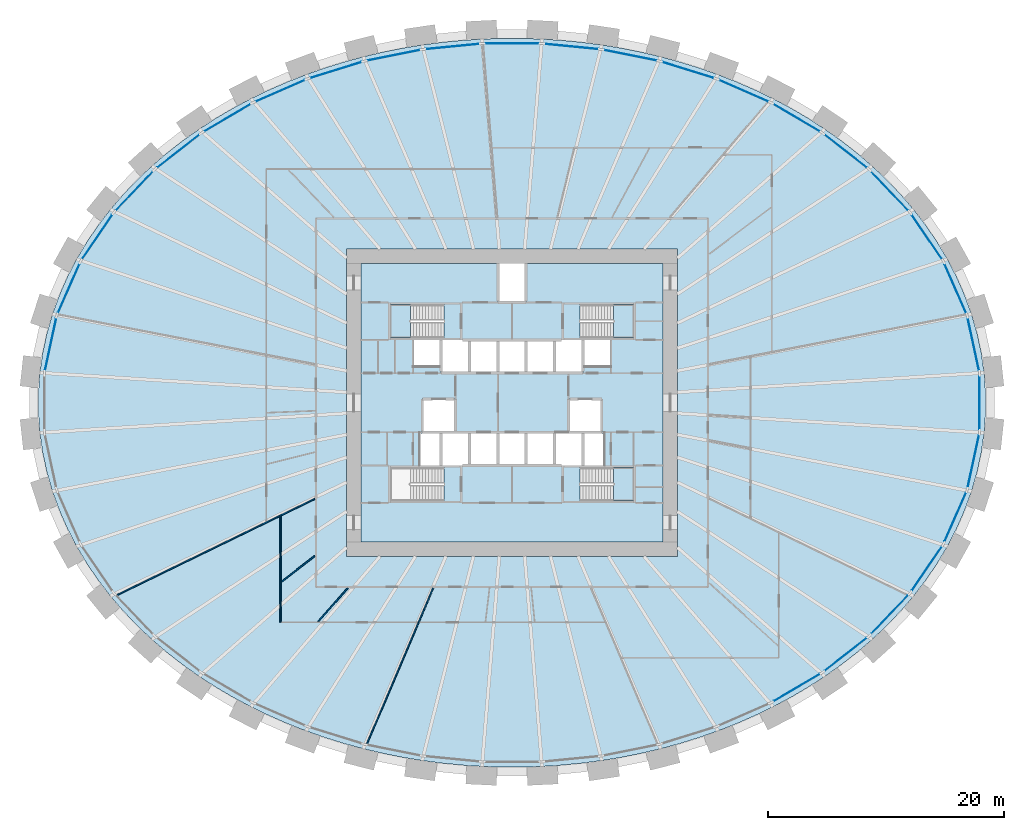
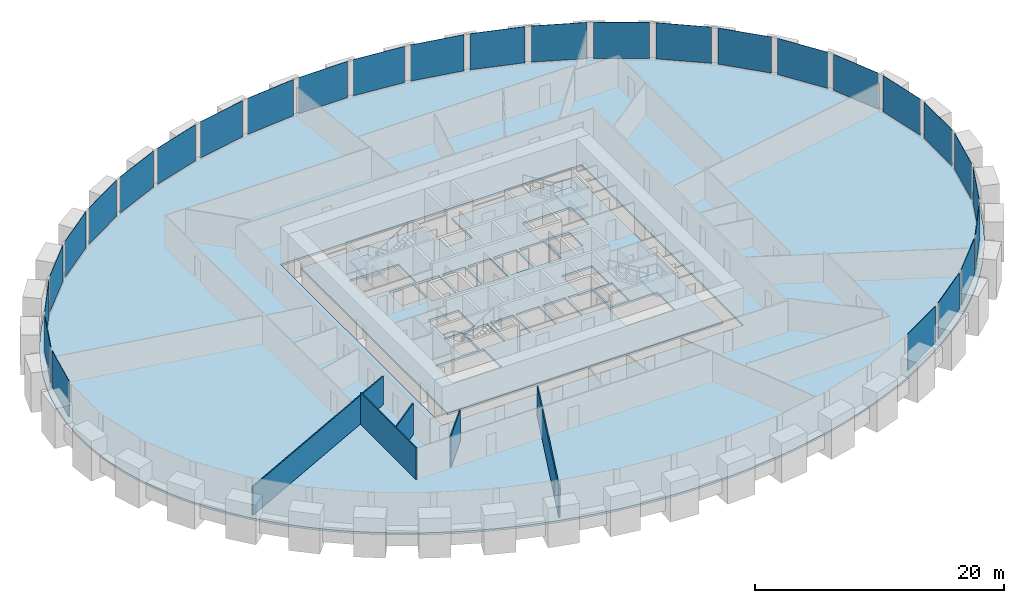
# One storey, part 5 of 11: 28 plates, 5 slabs, 5 walls, 4 elements without a shape of their own.
"""IFC4 building model written with IfcOpenShell, lengths in metres."""

from ifc_helpers import new_model, si_unit, direction, frame, frame_2d, origin, origin_2d, place, context, subcontext, project, spatial, polyline, rectangle, outline, extrude, source, transform, mapped, material, layer, layer_set, type_object, element, aggregate, save


model = new_model("IFC4")

# Units and contexts
model_context = context("Model", 3, precision=1e-05, world=origin(), true_north=direction((0.0, 1.0)))
body_context = subcontext(model_context, "Body", "Model", "MODEL_VIEW")
ifc_project = project(units=[si_unit("LENGTHUNIT", "METRE"), si_unit("AREAUNIT", "SQUARE_METRE"), si_unit("VOLUMEUNIT", "CUBIC_METRE"), si_unit("PLANEANGLEUNIT", "RADIAN"), si_unit("MASSUNIT", "GRAM", prefix="KILO")], contexts=[model_context])

# Site, building, storey
site_placement = place(None, origin())
site = spatial("IfcSite", under=ifc_project, at=site_placement, CompositionType="ELEMENT")
building_placement = place(site_placement, origin())
building = spatial("IfcBuilding", under=site, at=building_placement, Name="Embergate Tower", CompositionType="ELEMENT")
storey_placement = place(building_placement, frame((0.0, 0.0, 77.60009765625)))
storey = spatial("IfcBuildingStorey", under=building, at=storey_placement, Name="L15", CompositionType="ELEMENT", Elevation=77.60009765625)

# Slab
ifc_material_1 = material(Name="Concrete C40", Category="concrete")
ifc_layer_1 = layer(ifc_material_1, 0.199951171875)
ifc_layer_set_1 = layer_set([ifc_layer_1], Name="Concrete C40")
slab_type_1 = type_object("IfcSlabType", Name="Composite floor slab C40 200", PredefinedType="FLOOR", material=ifc_layer_set_1)
shared_shape_1 = source(origin(), body_context, "Body", "SweptSolid", [
    extrude(outline(polyline([(0.0, 0.0), (1.69580078125, 0.0), (3.391845703125, 0.054931640625), (5.087890625, 0.166015625), (6.77685546875, 0.33203125), (8.454833984375, 0.552978515625), (10.135986328125, 0.8310546875), (11.798828125, 1.1650390625), (13.44287109375, 1.552978515625), (15.08984375, 2.0029296875), (16.7099609375, 2.508056640625), (18.2998046875, 3.06591796875), (19.891845703125, 3.69189453125), (21.447021484375, 4.37109375), (22.9599609375, 5.10400390625), (24.472900390625, 5.910888671875), (25.934814453125, 6.77099609375), (27.344970703125, 7.681884765625), (28.744873046875, 8.675048828125), (30.0830078125, 9.718994140625), (31.35400390625, 10.81103515625), (32.601806640625, 11.991943359375), (33.77197265625, 13.219970703125), (34.86279296875, 14.489990234375), (35.908935546875, 15.85302734375), (36.86181640625, 17.256103515625), (37.720947265625, 18.694091796875), (38.5078125, 20.216064453125), (39.18896484375, 21.76904296875), (39.761962890625, 23.346923828125), (40.23486328125, 24.987060546875), (40.591796875, 26.64404296875), (40.830810546875, 28.31396484375), (40.951904296875, 30.007080078125), (40.951904296875, 31.700927734375), (40.830810546875, 33.39404296875), (40.591796875, 35.06396484375), (40.23486328125, 36.720947265625), (39.761962890625, 38.361083984375), (39.18896484375, 39.93896484375), (38.5078125, 41.491943359375), (37.720947265625, 43.013916015625), (36.86181640625, 44.451904296875), (35.908935546875, 45.85498046875), (34.86279296875, 47.218017578125), (33.77197265625, 48.488037109375), (32.601806640625, 49.716064453125), (31.35400390625, 50.89697265625), (30.0830078125, 51.989013671875), (28.744873046875, 53.032958984375), (27.344970703125, 54.026123046875), (25.934814453125, 54.93701171875), (24.472900390625, 55.797119140625), (22.9599609375, 56.60400390625), (21.447021484375, 57.3369140625), (19.891845703125, 58.01611328125), (18.2998046875, 58.64208984375), (16.7099609375, 59.199951171875), (15.08984375, 59.705078125), (13.44287109375, 60.155029296875), (11.798828125, 60.54296875), (10.135986328125, 60.876953125), (8.454833984375, 61.155029296875), (6.77685546875, 61.3759765625), (5.087890625, 61.5419921875), (3.391845703125, 61.653076171875), (1.69580078125, 61.7080078125), (0.0, 61.7080078125), (-1.696044921875, 61.653076171875), (-3.39208984375, 61.5419921875), (-5.0810546875, 61.3759765625), (-6.759033203125, 61.155029296875), (-8.440185546875, 60.876953125), (-10.10302734375, 60.54296875), (-11.7470703125, 60.155029296875), (-13.39404296875, 59.705078125), (-15.01416015625, 59.199951171875), (-16.60400390625, 58.64208984375), (-18.196044921875, 58.01611328125), (-19.751220703125, 57.3369140625), (-21.26416015625, 56.60400390625), (-22.777099609375, 55.797119140625), (-24.239013671875, 54.93701171875), (-25.649169921875, 54.026123046875), (-27.049072265625, 53.032958984375), (-28.38720703125, 51.989013671875), (-29.658203125, 50.89697265625), (-30.906005859375, 49.716064453125), (-32.076171875, 48.488037109375), (-33.1669921875, 47.218017578125), (-34.213134765625, 45.85498046875), (-35.166015625, 44.451904296875), (-36.025146484375, 43.013916015625), (-36.81201171875, 41.491943359375), (-37.4931640625, 39.93896484375), (-38.066162109375, 38.361083984375), (-38.5390625, 36.720947265625), (-38.89599609375, 35.06396484375), (-39.135009765625, 33.39404296875), (-39.256103515625, 31.700927734375), (-39.256103515625, 30.007080078125), (-39.135009765625, 28.31396484375), (-38.89599609375, 26.64404296875), (-38.5390625, 24.987060546875), (-38.066162109375, 23.346923828125), (-37.4931640625, 21.76904296875), (-36.81201171875, 20.216064453125), (-36.025146484375, 18.694091796875), (-35.166015625, 17.256103515625), (-34.213134765625, 15.85302734375), (-33.1669921875, 14.489990234375), (-32.076171875, 13.219970703125), (-30.906005859375, 11.991943359375), (-29.658203125, 10.81103515625), (-28.38720703125, 9.718994140625), (-27.049072265625, 8.675048828125), (-25.649169921875, 7.681884765625), (-24.239013671875, 6.77099609375), (-22.777099609375, 5.910888671875), (-21.26416015625, 5.10400390625), (-19.751220703125, 4.37109375), (-18.196044921875, 3.69189453125), (-16.60400390625, 3.06591796875), (-15.01416015625, 2.508056640625), (-13.39404296875, 2.0029296875), (-11.7470703125, 1.552978515625), (-10.10302734375, 1.1650390625), (-8.440185546875, 0.8310546875), (-6.759033203125, 0.552978515625), (-5.0810546875, 0.33203125), (-3.39208984375, 0.166015625), (-1.696044921875, 0.054931640625), (0.0, 0.0)]), holes=[polyline([(-13.152099609375, 17.85400390625), (-13.152099609375, 43.85400390625), (14.847900390625, 43.85400390625), (14.847900390625, 17.85400390625), (-13.152099609375, 17.85400390625)])]), origin(), (0.0, 0.0, 1.0), 0.2001953125),
])
slab_1_placement = place(storey_placement, frame((-0.847900390625, -30.85400390625, -0.2001953125)))
element("IfcSlab", 1, at=slab_1_placement, inside=storey, type_object=slab_type_1, Name="SLB-L15-00", PredefinedType="FLOOR", context=body_context, shape_type="MappedRepresentation", body=[
    mapped(shared_shape_1, transform((0.0, 0.0, 0.0))),
])

# Curtain wall, plates
ifc_material_2 = material(Name="Aluminium and glass", Category="aluminium")
curtain_wall_type = type_object("IfcCurtainWallType", Name="Recessed office glazing", PredefinedType="NOTDEFINED", material=ifc_material_2)
curtain_wall_placement = place(storey_placement, origin())
curtain_wall = element("IfcCurtainWall", 2, at=curtain_wall_placement, inside=storey, type_object=curtain_wall_type, Name="Recessed office glazing ring", ObjectType="RECESSED OFFICE GLAZING", PredefinedType="USERDEFINED")
ifc_material_3 = material(Name="Triple glazing, low-emissivity coating", Category="glass")
ifc_layer_2 = layer(ifc_material_3, 0.035888671875)
ifc_layer_set_2 = layer_set([ifc_layer_2], Name="Triple glazing, low-emissivity coating")
plate_type = type_object("IfcPlateType", Name="Office glazing unit", PredefinedType="CURTAIN_PANEL", material=ifc_layer_set_2)
shared_shape_2 = source(origin(), body_context, "Body", "SweptSolid", [
    extrude(rectangle(XDim=4.50390625, YDim=0.035888671875, at=origin_2d()), origin(), (0.0, 0.0, 1.0), 3.550048828125),
])
plate_1_placement = place(storey_placement, frame((31.978515625, 17.935546875, 0.14990234375), z_axis=(0.0, 0.0, 1.0), x_axis=(-0.690129995266, 0.723685421737, 0.0)))
plate_1 = element("IfcPlate", 3, at=plate_1_placement, type_object=plate_type, Name="CW panel 4.1", PredefinedType="CURTAIN_PANEL", context=body_context, shape_type="MappedRepresentation", body=[
    mapped(shared_shape_2, transform((0.0, 0.0, 0.0))),
])
plate_2_placement = place(storey_placement, frame((-31.978515625, 17.935546875, 0.14990234375), z_axis=(0.0, 0.0, 1.0), x_axis=(-0.690129995266, -0.723685421737, 0.0)))
plate_2 = element("IfcPlate", 4, at=plate_2_placement, type_object=plate_type, Name="CW panel 18.1", PredefinedType="CURTAIN_PANEL", context=body_context, shape_type="MappedRepresentation", body=[
    mapped(shared_shape_2, transform((0.0, 0.0, 0.0))),
])
plate_3_placement = place(storey_placement, frame((31.978515625, -17.935546875, 0.14990234375), z_axis=(0.0, 0.0, 1.0), x_axis=(0.690129995266, 0.723685421737, 0.0)))
plate_3 = element("IfcPlate", 5, at=plate_3_placement, type_object=plate_type, Name="CW panel 40.1", PredefinedType="CURTAIN_PANEL", context=body_context, shape_type="MappedRepresentation", body=[
    mapped(shared_shape_2, transform((0.0, 0.0, 0.0))),
])
shared_shape_3 = source(origin(), body_context, "Body", "SweptSolid", [
    extrude(rectangle(XDim=4.479248046875, YDim=0.035888671875, at=origin_2d()), origin(), (0.0, 0.0, 1.0), 3.550048828125),
])
plate_4_placement = place(storey_placement, frame((39.069091796875, 4.94189453125, 0.14990234375), z_axis=(0.0, 0.0, 1.0), x_axis=(-0.210394978653, 0.977616465163, 0.0)))
plate_4 = element("IfcPlate", 6, at=plate_4_placement, type_object=plate_type, Name="CW panel 1.1", PredefinedType="CURTAIN_PANEL", context=body_context, shape_type="MappedRepresentation", body=[
    mapped(shared_shape_3, transform((0.0, 0.0, 0.0))),
])
plate_5_placement = place(storey_placement, frame((-39.069091796875, 4.94189453125, 0.14990234375), z_axis=(0.0, 0.0, 1.0), x_axis=(-0.210394978653, -0.977616465163, 0.0)))
plate_5 = element("IfcPlate", 7, at=plate_5_placement, type_object=plate_type, Name="CW panel 21.1", PredefinedType="CURTAIN_PANEL", context=body_context, shape_type="MappedRepresentation", body=[
    mapped(shared_shape_3, transform((0.0, 0.0, 0.0))),
])
plate_6_placement = place(storey_placement, frame((39.069091796875, -4.94189453125, 0.14990234375), z_axis=(0.0, 0.0, 1.0), x_axis=(0.210394978653, 0.977616465163, 0.0)))
plate_6 = element("IfcPlate", 8, at=plate_6_placement, type_object=plate_type, Name="CW panel 43.1", PredefinedType="CURTAIN_PANEL", context=body_context, shape_type="MappedRepresentation", body=[
    mapped(shared_shape_3, transform((0.0, 0.0, 0.0))),
])
shared_shape_4 = source(origin(), body_context, "Body", "SweptSolid", [
    extrude(rectangle(XDim=4.486328125, YDim=0.035888671875, at=origin_2d()), origin(), (0.0, 0.0, 1.0), 3.550048828125),
])
plate_7_placement = place(storey_placement, frame((37.537841796875, 9.677978515625, 0.14990234375), z_axis=(0.0, 0.0, 1.0), x_axis=(-0.401647306074, 0.915794431913, 0.0)))
plate_7 = element("IfcPlate", 9, at=plate_7_placement, type_object=plate_type, Name="CW panel 2.1", PredefinedType="CURTAIN_PANEL", context=body_context, shape_type="MappedRepresentation", body=[
    mapped(shared_shape_4, transform((0.0, 0.0, 0.0))),
])
plate_8_placement = place(storey_placement, frame((-37.537841796875, 9.677978515625, 0.14990234375), z_axis=(0.0, 0.0, 1.0), x_axis=(-0.401647306074, -0.915794431913, 0.0)))
plate_8 = element("IfcPlate", 10, at=plate_8_placement, type_object=plate_type, Name="CW panel 20.1", PredefinedType="CURTAIN_PANEL", context=body_context, shape_type="MappedRepresentation", body=[
    mapped(shared_shape_4, transform((0.0, 0.0, 0.0))),
])
plate_9_placement = place(storey_placement, frame((37.537841796875, -9.677978515625, 0.14990234375), z_axis=(0.0, 0.0, 1.0), x_axis=(0.401647306074, 0.915794431913, 0.0)))
plate_9 = element("IfcPlate", 11, at=plate_9_placement, type_object=plate_type, Name="CW panel 42.1", PredefinedType="CURTAIN_PANEL", context=body_context, shape_type="MappedRepresentation", body=[
    mapped(shared_shape_4, transform((0.0, 0.0, 0.0))),
])
shared_shape_5 = source(origin(), body_context, "Body", "SweptSolid", [
    extrude(rectangle(XDim=4.495361328125, YDim=0.035888671875, at=origin_2d()), origin(), (0.0, 0.0, 1.0), 3.550048828125),
])
plate_10_placement = place(storey_placement, frame((35.122314453125, 14.044189453125, 0.14990234375), z_axis=(0.0, 0.0, 1.0), x_axis=(-0.562337412243, 0.826907875638, 0.0)))
plate_10 = element("IfcPlate", 12, at=plate_10_placement, type_object=plate_type, Name="CW panel 3.1", PredefinedType="CURTAIN_PANEL", context=body_context, shape_type="MappedRepresentation", body=[
    mapped(shared_shape_5, transform((0.0, 0.0, 0.0))),
])
plate_11_placement = place(storey_placement, frame((-35.122314453125, 14.044189453125, 0.14990234375), z_axis=(0.0, 0.0, 1.0), x_axis=(-0.562337412243, -0.826907875638, 0.0)))
plate_11 = element("IfcPlate", 13, at=plate_11_placement, type_object=plate_type, Name="CW panel 19.1", PredefinedType="CURTAIN_PANEL", context=body_context, shape_type="MappedRepresentation", body=[
    mapped(shared_shape_5, transform((0.0, 0.0, 0.0))),
])
plate_12_placement = place(storey_placement, frame((35.122314453125, -14.044189453125, 0.14990234375), z_axis=(0.0, 0.0, 1.0), x_axis=(0.562337412243, 0.826907875638, 0.0)))
plate_12 = element("IfcPlate", 14, at=plate_12_placement, type_object=plate_type, Name="CW panel 41.1", PredefinedType="CURTAIN_PANEL", context=body_context, shape_type="MappedRepresentation", body=[
    mapped(shared_shape_5, transform((0.0, 0.0, 0.0))),
])
shared_shape_6 = source(origin(), body_context, "Body", "SweptSolid", [
    extrude(rectangle(XDim=4.51171875, YDim=0.035888671875, at=origin_2d()), origin(), (0.0, 0.0, 1.0), 3.550048828125),
])
plate_13_placement = place(storey_placement, frame((28.26171875, 21.301513671875, 0.14990234375), z_axis=(0.0, 0.0, 1.0), x_axis=(-0.788316897722, 0.615269427784, 0.0)))
plate_13 = element("IfcPlate", 15, at=plate_13_placement, type_object=plate_type, Name="CW panel 5.1", PredefinedType="CURTAIN_PANEL", context=body_context, shape_type="MappedRepresentation", body=[
    mapped(shared_shape_6, transform((0.0, 0.0, 0.0))),
])
plate_14_placement = place(storey_placement, frame((-28.26171875, 21.301513671875, 0.14990234375), z_axis=(0.0, 0.0, 1.0), x_axis=(-0.788316897722, -0.615269427784, 0.0)))
plate_14 = element("IfcPlate", 16, at=plate_14_placement, type_object=plate_type, Name="CW panel 17.1", PredefinedType="CURTAIN_PANEL", context=body_context, shape_type="MappedRepresentation", body=[
    mapped(shared_shape_6, transform((0.0, 0.0, 0.0))),
])
plate_15_placement = place(storey_placement, frame((28.26171875, -21.301513671875, 0.14990234375), z_axis=(0.0, 0.0, 1.0), x_axis=(0.788316897722, 0.615269427784, 0.0)))
plate_15 = element("IfcPlate", 17, at=plate_15_placement, type_object=plate_type, Name="CW panel 39.1", PredefinedType="CURTAIN_PANEL", context=body_context, shape_type="MappedRepresentation", body=[
    mapped(shared_shape_6, transform((0.0, 0.0, 0.0))),
])
shared_shape_7 = source(origin(), body_context, "Body", "SweptSolid", [
    extrude(rectangle(XDim=4.517578125, YDim=0.035888671875, at=origin_2d()), origin(), (0.0, 0.0, 1.0), 3.550048828125),
])
plate_16_placement = place(storey_placement, frame((24.107177734375, 24.1259765625, 0.14990234375), z_axis=(0.0, 0.0, 1.0), x_axis=(-0.862050514108, 0.506822366443, 0.0)))
plate_16 = element("IfcPlate", 18, at=plate_16_placement, type_object=plate_type, Name="CW panel 6.1", PredefinedType="CURTAIN_PANEL", context=body_context, shape_type="MappedRepresentation", body=[
    mapped(shared_shape_7, transform((0.0, 0.0, 0.0))),
])
plate_17_placement = place(storey_placement, frame((-24.107177734375, 24.1259765625, 0.14990234375), z_axis=(0.0, 0.0, 1.0), x_axis=(-0.862050514108, -0.506822366443, 0.0)))
plate_17 = element("IfcPlate", 19, at=plate_17_placement, type_object=plate_type, Name="CW panel 16.1", PredefinedType="CURTAIN_PANEL", context=body_context, shape_type="MappedRepresentation", body=[
    mapped(shared_shape_7, transform((0.0, 0.0, 0.0))),
])
plate_18_placement = place(storey_placement, frame((24.107177734375, -24.1259765625, 0.14990234375), z_axis=(0.0, 0.0, 1.0), x_axis=(0.862050514108, 0.506822366443, 0.0)))
plate_18 = element("IfcPlate", 20, at=plate_18_placement, type_object=plate_type, Name="CW panel 38.1", PredefinedType="CURTAIN_PANEL", context=body_context, shape_type="MappedRepresentation", body=[
    mapped(shared_shape_7, transform((0.0, 0.0, 0.0))),
])
shared_shape_8 = source(origin(), body_context, "Body", "SweptSolid", [
    extrude(rectangle(XDim=4.522216796875, YDim=0.035888671875, at=origin_2d()), origin(), (0.0, 0.0, 1.0), 3.550048828125),
])
plate_19_placement = place(storey_placement, frame((19.6259765625, 26.41259765625, 0.14990234375), z_axis=(0.0, 0.0, 1.0), x_axis=(-0.91623411399, 0.400643293168, 0.0)))
plate_19 = element("IfcPlate", 21, at=plate_19_placement, type_object=plate_type, Name="CW panel 7.1", PredefinedType="CURTAIN_PANEL", context=body_context, shape_type="MappedRepresentation", body=[
    mapped(shared_shape_8, transform((0.0, 0.0, 0.0))),
])
plate_20_placement = place(storey_placement, frame((-19.6259765625, 26.41259765625, 0.14990234375), z_axis=(0.0, 0.0, 1.0), x_axis=(-0.91623411399, -0.400643293168, 0.0)))
plate_20 = element("IfcPlate", 22, at=plate_20_placement, type_object=plate_type, Name="CW panel 15.1", PredefinedType="CURTAIN_PANEL", context=body_context, shape_type="MappedRepresentation", body=[
    mapped(shared_shape_8, transform((0.0, 0.0, 0.0))),
])
shared_shape_9 = source(origin(), body_context, "Body", "SweptSolid", [
    extrude(rectangle(XDim=4.525390625, YDim=0.035888671875, at=origin_2d()), origin(), (0.0, 0.0, 1.0), 3.550048828125),
])
plate_21_placement = place(storey_placement, frame((14.9072265625, 28.172607421875, 0.14990234375), z_axis=(0.0, 0.0, 1.0), x_axis=(-0.954771179262, 0.297341546458, 0.0)))
plate_21 = element("IfcPlate", 23, at=plate_21_placement, type_object=plate_type, Name="CW panel 8.1", PredefinedType="CURTAIN_PANEL", context=body_context, shape_type="MappedRepresentation", body=[
    mapped(shared_shape_9, transform((0.0, 0.0, 0.0))),
])
plate_22_placement = place(storey_placement, frame((-14.9072265625, 28.172607421875, 0.14990234375), z_axis=(0.0, 0.0, 1.0), x_axis=(-0.954771179262, -0.297341546458, 0.0)))
plate_22 = element("IfcPlate", 24, at=plate_22_placement, type_object=plate_type, Name="CW panel 14.1", PredefinedType="CURTAIN_PANEL", context=body_context, shape_type="MappedRepresentation", body=[
    mapped(shared_shape_9, transform((0.0, 0.0, 0.0))),
])
shared_shape_10 = source(origin(), body_context, "Body", "SweptSolid", [
    extrude(rectangle(XDim=4.527587890625, YDim=0.035888671875, at=origin_2d()), origin(), (0.0, 0.0, 1.0), 3.550048828125),
])
plate_23_placement = place(storey_placement, frame((10.024169921875, 29.419189453125, 0.14990234375), z_axis=(0.0, 0.0, 1.0), x_axis=(-0.980475221003, 0.196642673395, 0.0)))
plate_23 = element("IfcPlate", 25, at=plate_23_placement, type_object=plate_type, Name="CW panel 9.1", PredefinedType="CURTAIN_PANEL", context=body_context, shape_type="MappedRepresentation", body=[
    mapped(shared_shape_10, transform((0.0, 0.0, 0.0))),
])
plate_24_placement = place(storey_placement, frame((-10.024169921875, 29.419189453125, 0.14990234375), z_axis=(0.0, 0.0, 1.0), x_axis=(-0.980475221003, -0.196642673395, 0.0)))
plate_24 = element("IfcPlate", 26, at=plate_24_placement, type_object=plate_type, Name="CW panel 13.1", PredefinedType="CURTAIN_PANEL", context=body_context, shape_type="MappedRepresentation", body=[
    mapped(shared_shape_10, transform((0.0, 0.0, 0.0))),
])
shared_shape_11 = source(origin(), body_context, "Body", "SweptSolid", [
    extrude(rectangle(XDim=4.529052734375, YDim=0.035888671875, at=origin_2d()), origin(), (0.0, 0.0, 1.0), 3.550048828125),
])
plate_25_placement = place(storey_placement, frame((5.037109375, 30.162353515625, 0.14990234375), z_axis=(0.0, 0.0, 1.0), x_axis=(-0.995203014042, 0.097831287645, 0.0)))
plate_25 = element("IfcPlate", 27, at=plate_25_placement, type_object=plate_type, Name="CW panel 10.1", PredefinedType="CURTAIN_PANEL", context=body_context, shape_type="MappedRepresentation", body=[
    mapped(shared_shape_11, transform((0.0, 0.0, 0.0))),
])
plate_26_placement = place(storey_placement, frame((-5.037109375, 30.162353515625, 0.14990234375), z_axis=(0.0, 0.0, 1.0), x_axis=(-0.995203014042, -0.097831287645, 0.0)))
plate_26 = element("IfcPlate", 28, at=plate_26_placement, type_object=plate_type, Name="CW panel 12.1", PredefinedType="CURTAIN_PANEL", context=body_context, shape_type="MappedRepresentation", body=[
    mapped(shared_shape_11, transform((0.0, 0.0, 0.0))),
])
shared_shape_12 = source(origin(), body_context, "Body", "SweptSolid", [
    extrude(rectangle(XDim=4.529296875, YDim=0.035888671875, at=origin_2d()), origin(), (0.0, 0.0, 1.0), 3.550048828125),
])
plate_27_placement = place(storey_placement, frame((0.0, 30.409423828125, 0.14990234375), z_axis=(0.0, 0.0, 1.0), x_axis=(-1.0, 0.0, 0.0)))
plate_27 = element("IfcPlate", 29, at=plate_27_placement, type_object=plate_type, Name="CW panel 11.1", PredefinedType="CURTAIN_PANEL", context=body_context, shape_type="MappedRepresentation", body=[
    mapped(shared_shape_12, transform((0.0, 0.0, 0.0))),
])
shared_shape_13 = source(origin(), body_context, "Body", "SweptSolid", [
    extrude(rectangle(XDim=4.4765625, YDim=0.035888671875, at=origin_2d()), origin(), (0.0, 0.0, 1.0), 3.550048828125),
])
plate_28_placement = place(storey_placement, frame((39.59521484375, 0.0, 0.14990234375), z_axis=(0.0, 0.0, 1.0), x_axis=(0.0, 1.0, 0.0)))
plate_28 = element("IfcPlate", 30, at=plate_28_placement, type_object=plate_type, Name="CW panel 44.1", PredefinedType="CURTAIN_PANEL", context=body_context, shape_type="MappedRepresentation", body=[
    mapped(shared_shape_13, transform((0.0, 0.0, 0.0))),
])
aggregate(curtain_wall, [plate_4, plate_7, plate_10, plate_1, plate_13, plate_16, plate_19, plate_21, plate_23, plate_25, plate_27, plate_26, plate_24, plate_22, plate_20, plate_17, plate_14, plate_2, plate_11, plate_8, plate_5, plate_18, plate_15, plate_3, plate_12, plate_9, plate_6, plate_28])

# Stair, slab
ifc_material_4 = material(Name="Exit stair")
stair_type = type_object("IfcStairType", Name="Exit stair", PredefinedType="HALF_TURN_STAIR", material=ifc_material_4)
stair_1_placement = place(storey_placement, origin())
stair_1 = element("IfcStair", 31, at=stair_1_placement, inside=storey, type_object=stair_type, Name="L15 Exit stair 1", PredefinedType="HALF_TURN_STAIR")
ifc_layer_3 = layer(ifc_material_1, 0.199951171875)
ifc_layer_set_3 = layer_set([ifc_layer_3], Name="Concrete C40")
slab_type_2 = type_object("IfcSlabType", Name="Stair landing reinforced concrete", PredefinedType="LANDING", material=ifc_layer_set_3)
shared_shape_14 = source(origin(), body_context, "Body", "SweptSolid", [
    extrude(outline(polyline([(0.0, 0.0), (1.68994140625, 0.0), (1.68994140625, 2.800048828125), (0.0, 2.800048828125), (0.0, 0.0)])), origin(), (0.0, 0.0, 1.0), 0.199951171875),
])
slab_2_placement = place(storey_placement, frame((-10.300048828125, 5.5, 1.75)))
slab_2 = element("IfcSlab", 32, at=slab_2_placement, type_object=slab_type_2, Name="ST1 landing 1", PredefinedType="LANDING", context=body_context, shape_type="MappedRepresentation", body=[
    mapped(shared_shape_14, transform((0.0, 0.0, 0.0))),
])
aggregate(stair_1, [slab_2])

stair_2_placement = place(storey_placement, origin())
stair_2 = element("IfcStair", 33, at=stair_2_placement, inside=storey, type_object=stair_type, Name="L15 Exit stair 2", PredefinedType="HALF_TURN_STAIR")
slab_3_placement = place(storey_placement, frame((8.610107421875, 5.5, 1.75)))
slab_3 = element("IfcSlab", 34, at=slab_3_placement, type_object=slab_type_2, Name="ST2 landing 1", PredefinedType="LANDING", context=body_context, shape_type="MappedRepresentation", body=[
    mapped(shared_shape_14, transform((0.0, 0.0, 0.0))),
])
aggregate(stair_2, [slab_3])

stair_3_placement = place(storey_placement, origin())
stair_3 = element("IfcStair", 35, at=stair_3_placement, inside=storey, type_object=stair_type, Name="L15 Exit stair 4", PredefinedType="HALF_TURN_STAIR")
slab_4_placement = place(storey_placement, frame((8.610107421875, -8.300048828125, 1.75)))
slab_4 = element("IfcSlab", 36, at=slab_4_placement, type_object=slab_type_2, Name="ST4 landing 1", PredefinedType="LANDING", context=body_context, shape_type="MappedRepresentation", body=[
    mapped(shared_shape_14, transform((0.0, 0.0, 0.0))),
])
aggregate(stair_3, [slab_4])

# Slab
ifc_layer_4 = layer(ifc_material_1, 0.199951171875)
ifc_layer_set_4 = layer_set([ifc_layer_4], Name="Concrete C40")
slab_type_3 = type_object("IfcSlabType", Name="Core floor slab 200 reinforced concrete", PredefinedType="FLOOR", material=ifc_layer_set_4)
shared_shape_15 = source(origin(), body_context, "Body", "SweptSolid", [
    extrude(outline(polyline([(0.0, 0.0), (25.60009765625, 0.0), (25.60009765625, 23.60009765625), (14.0, 23.60009765625), (14.0, 20.300048828125), (11.60009765625, 20.300048828125), (11.60009765625, 23.60009765625), (0.0, 23.60009765625), (0.0, 0.0)]), holes=[polyline([(2.5, 3.5), (2.5, 6.300048828125), (7.0400390625, 6.300048828125), (7.0400390625, 3.5), (2.5, 3.5)]), polyline([(18.56005859375, 3.5), (18.56005859375, 6.300048828125), (23.10009765625, 6.300048828125), (23.10009765625, 3.5), (18.56005859375, 3.5)]), polyline([(5.0, 6.5), (5.0, 9.300048828125), (5.074951171875, 9.300048828125), (5.074951171875, 9.175048828125), (6.675048828125, 9.175048828125), (6.675048828125, 6.5), (5.0, 6.5)]), polyline([(6.800048828125, 6.5), (6.800048828125, 9.175048828125), (8.125, 9.175048828125), (8.125, 9.300048828125), (9.074951171875, 9.300048828125), (9.074951171875, 6.5), (6.800048828125, 6.5)]), polyline([(9.324951171875, 6.5), (9.324951171875, 9.300048828125), (11.47509765625, 9.300048828125), (11.47509765625, 6.5), (9.324951171875, 6.5)]), polyline([(11.72509765625, 6.5), (11.72509765625, 9.300048828125), (13.875, 9.300048828125), (13.875, 6.5), (11.72509765625, 6.5)]), polyline([(14.125, 6.5), (14.125, 9.300048828125), (16.275146484375, 9.300048828125), (16.275146484375, 6.5), (14.125, 6.5)]), polyline([(16.525146484375, 6.5), (16.525146484375, 9.300048828125), (17.47509765625, 9.300048828125), (17.47509765625, 9.175048828125), (18.800048828125, 9.175048828125), (18.800048828125, 6.5), (16.525146484375, 6.5)]), polyline([(18.925048828125, 6.5), (18.925048828125, 9.175048828125), (20.525146484375, 9.175048828125), (20.525146484375, 9.300048828125), (20.60009765625, 9.300048828125), (20.60009765625, 6.5), (18.925048828125, 6.5)]), polyline([(5.199951171875, 9.300048828125), (5.199951171875, 12.10009765625), (8.0, 12.10009765625), (8.0, 9.425048828125), (6.675048828125, 9.425048828125), (6.675048828125, 9.300048828125), (5.199951171875, 9.300048828125)]), polyline([(18.925048828125, 9.300048828125), (18.925048828125, 9.425048828125), (17.60009765625, 9.425048828125), (17.60009765625, 12.10009765625), (20.400146484375, 12.10009765625), (20.400146484375, 9.300048828125), (18.925048828125, 9.300048828125)]), polyline([(6.800048828125, 14.300048828125), (6.800048828125, 17.10009765625), (9.074951171875, 17.10009765625), (9.074951171875, 14.300048828125), (6.800048828125, 14.300048828125)]), polyline([(9.324951171875, 14.300048828125), (9.324951171875, 17.10009765625), (11.47509765625, 17.10009765625), (11.47509765625, 14.300048828125), (9.324951171875, 14.300048828125)]), polyline([(11.72509765625, 14.300048828125), (11.72509765625, 17.10009765625), (13.875, 17.10009765625), (13.875, 14.300048828125), (11.72509765625, 14.300048828125)]), polyline([(14.125, 14.300048828125), (14.125, 17.10009765625), (16.275146484375, 17.10009765625), (16.275146484375, 14.300048828125), (14.125, 14.300048828125)]), polyline([(16.525146484375, 14.300048828125), (16.525146484375, 17.10009765625), (18.800048828125, 17.10009765625), (18.800048828125, 14.300048828125), (16.525146484375, 14.300048828125)]), polyline([(4.400146484375, 14.900146484375), (4.400146484375, 17.10009765625), (6.675048828125, 17.10009765625), (6.675048828125, 14.900146484375), (4.400146484375, 14.900146484375)]), polyline([(18.925048828125, 14.900146484375), (18.925048828125, 17.10009765625), (21.199951171875, 17.10009765625), (21.199951171875, 14.900146484375), (18.925048828125, 14.900146484375)]), polyline([(2.5, 17.300048828125), (2.5, 20.10009765625), (7.0400390625, 20.10009765625), (7.0400390625, 17.300048828125), (2.5, 17.300048828125)]), polyline([(18.56005859375, 17.300048828125), (18.56005859375, 20.10009765625), (23.10009765625, 20.10009765625), (23.10009765625, 17.300048828125), (18.56005859375, 17.300048828125)])]), origin(), (0.0, 0.0, 1.0), 0.2001953125),
])
slab_5_placement = place(storey_placement, frame((-12.800048828125, -11.800048828125, -0.2001953125)))
element("IfcSlab", 37, at=slab_5_placement, inside=storey, type_object=slab_type_3, Name="Core floor slab", PredefinedType="FLOOR", context=body_context, shape_type="MappedRepresentation", body=[
    mapped(shared_shape_15, transform((0.0, 0.0, 0.0))),
])

# Walls
ifc_material_5 = material(Name="Partition dry-lined 100 wet")
ifc_layer_5 = layer(ifc_material_5, 0.10009765625)
ifc_layer_set_5 = layer_set([ifc_layer_5], Name="Partition dry-lined 100 wet")
wall_type = type_object("IfcWallType", Name="Partition dry-lined 100 wet", PredefinedType="PLUMBINGWALL", material=ifc_layer_set_5)
shared_shape_16 = source(origin(), body_context, "Body", "SweptSolid", [
    extrude(rectangle(XDim=3.561767578125, YDim=0.10009765625, at=frame_2d((1.78076171875, 0.0))), origin(), (0.0, 0.0, 1.0), 3.099853515625),
])
wall_1_placement = place(storey_placement, frame((-16.7060546875, -12.97509765625, 0.0), z_axis=(0.0, 0.0, 1.0), x_axis=(-0.789769101827, -0.613404243382, 0.0)))
element("IfcWall", 38, at=wall_1_placement, inside=storey, type_object=wall_type, Name="IP-1 wall", PredefinedType="PLUMBINGWALL", context=body_context, shape_type="MappedRepresentation", body=[
    mapped(shared_shape_16, transform((0.0, 0.0, 0.0))),
])
shared_shape_17 = source(origin(), body_context, "Body", "SweptSolid", [
    extrude(rectangle(XDim=8.97802734375, YDim=0.10009765625, at=frame_2d((4.489013671875, 0.0))), origin(), (0.0, 0.0, 1.0), 3.099853515625),
])
wall_2_placement = place(storey_placement, frame((-19.60009765625, -18.60009765625, 0.0), z_axis=(0.0, 0.0, 1.0), x_axis=(0.0, 1.0, 0.0)))
element("IfcWall", 39, at=wall_2_placement, inside=storey, type_object=wall_type, Name="IP-1 wall", PredefinedType="PLUMBINGWALL", context=body_context, shape_type="MappedRepresentation", body=[
    mapped(shared_shape_17, transform((0.0, 0.0, 0.0))),
])
shared_shape_18 = source(origin(), body_context, "Body", "SweptSolid", [
    extrude(rectangle(XDim=3.753173828125, YDim=0.10009765625, at=frame_2d((1.87646484375, 0.0))), origin(), (0.0, 0.0, 1.0), 3.099853515625),
])
wall_3_placement = place(storey_placement, frame((-13.919921875, -15.7080078125, 0.0), z_axis=(0.0, 0.0, 1.0), x_axis=(-0.663180002332, -0.748459941818, 0.0)))
element("IfcWall", 40, at=wall_3_placement, inside=storey, type_object=wall_type, Name="IP-1 wall", PredefinedType="PLUMBINGWALL", context=body_context, shape_type="MappedRepresentation", body=[
    mapped(shared_shape_18, transform((0.0, 0.0, 0.0))),
])
shared_shape_19 = source(origin(), body_context, "Body", "SweptSolid", [
    extrude(rectangle(XDim=14.41015625, YDim=0.10009765625, at=frame_2d((7.205078125, 0.0))), origin(), (0.0, 0.0, 1.0), 2.89990234375),
])
wall_4_placement = place(storey_placement, frame((-6.677978515625, -15.695068359375, 0.0), z_axis=(0.0, 0.0, 1.0), x_axis=(-0.391470314231, -0.920190737334, 0.0)))
element("IfcWall", 41, at=wall_4_placement, inside=storey, type_object=wall_type, Name="IP-1 wall", PredefinedType="PLUMBINGWALL", context=body_context, shape_type="MappedRepresentation", body=[
    mapped(shared_shape_19, transform((0.0, 0.0, 0.0))),
])
shared_shape_20 = source(origin(), body_context, "Body", "SweptSolid", [
    extrude(rectangle(XDim=18.715087890625, YDim=0.10009765625, at=frame_2d((9.357421875, 0.0))), origin(), (0.0, 0.0, 1.0), 2.7998046875),
])
wall_5_placement = place(storey_placement, frame((-33.52392578125, -16.321044921875, 0.0), z_axis=(0.0, 0.0, 1.0), x_axis=(0.899107311698, 0.437728274219, 0.0)))
element("IfcWall", 42, at=wall_5_placement, inside=storey, type_object=wall_type, Name="IP-1 wall", PredefinedType="PLUMBINGWALL", context=body_context, shape_type="MappedRepresentation", body=[
    mapped(shared_shape_20, transform((0.0, 0.0, 0.0))),
])

save(model, "model.ifc")
